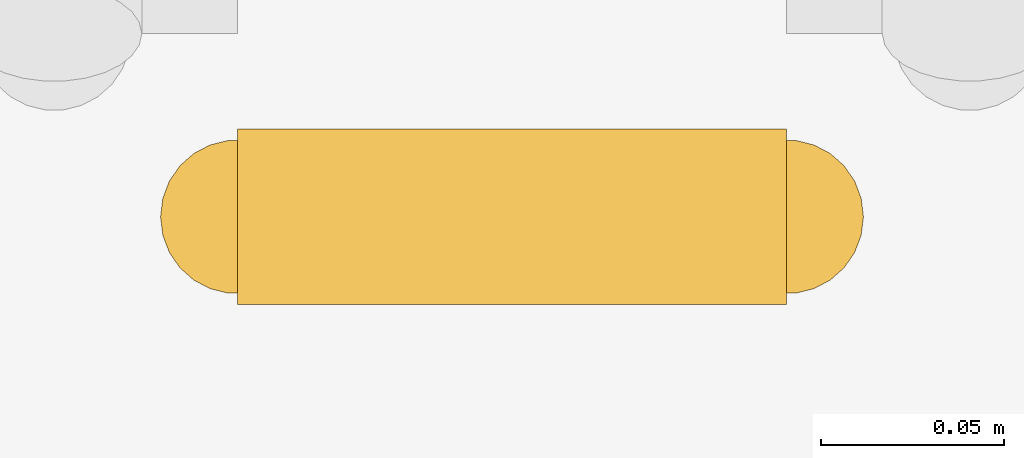
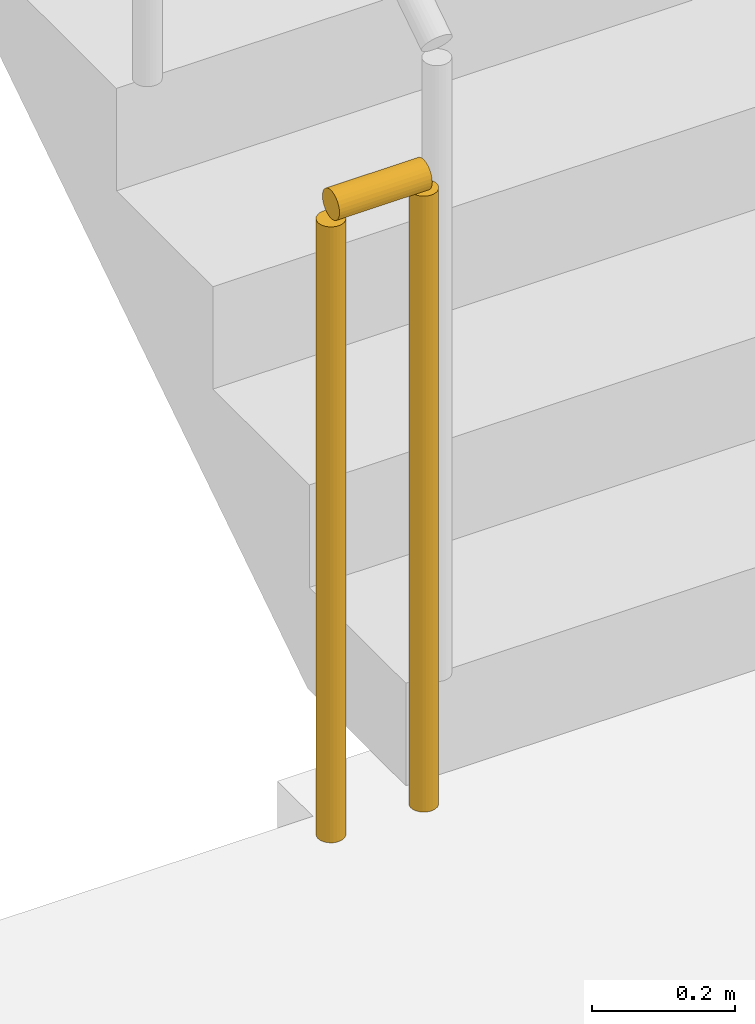
# One storey, part 16 of 19: 1 railing.
"""IFC4 building model written with IfcOpenShell, lengths in metres."""

from ifc_helpers import new_model, si_unit, direction, frame, origin, origin_2d, place, context, subcontext, project, spatial, circle, extrude, material, type_object, element, save


model = new_model("IFC4")

# Units and contexts
model_context = context("Model", 3, precision=1e-05, world=origin(), true_north=direction((0.0, 1.0)))
body_context = subcontext(model_context, "Body", "Model", "MODEL_VIEW")
ifc_project = project(units=[si_unit("LENGTHUNIT", "METRE"), si_unit("AREAUNIT", "SQUARE_METRE"), si_unit("VOLUMEUNIT", "CUBIC_METRE"), si_unit("PLANEANGLEUNIT", "RADIAN"), si_unit("MASSUNIT", "GRAM", prefix="KILO")], contexts=[model_context])

# Site, building, storey
site_placement = place(None, origin())
site = spatial("IfcSite", under=ifc_project, at=site_placement, CompositionType="ELEMENT")
building_placement = place(site_placement, origin())
building = spatial("IfcBuilding", under=site, at=building_placement, Name="Saffron Iwan Residences", CompositionType="ELEMENT")
storey_placement = place(building_placement, frame((0.0, 0.0, 250.0)))
storey = spatial("IfcBuildingStorey", under=building, at=storey_placement, Name="L67", CompositionType="ELEMENT", Elevation=250.0)

# Railing
ifc_material = material(Name="Steel S355", Category="steel")
railing_type = type_object("IfcRailingType", Name="Stair guard 1100", PredefinedType="GUARDRAIL", material=ifc_material)
railing_placement = place(storey_placement, frame((69.699951171875, 67.800048828125, 0.0)))
element("IfcRailing", 1, at=railing_placement, inside=storey, type_object=railing_type, Name="L67 ST-E stair guard 2", PredefinedType="GUARDRAIL", context=body_context, shape_type="SweptSolid", body=[
    extrude(circle(Radius=0.02392578125, at=origin_2d()), frame((0.0, 0.0, 1.076171875), z_axis=(-1.0, 0.0, 0.0), x_axis=(0.0, -1.0, 0.0)), (0.0, 0.0, 1.0), 0.14990234375),
    extrude(circle(Radius=0.02099609375, at=origin_2d()), origin(), (0.0, 0.0, 1.0), 1.052001953125),
    extrude(circle(Radius=0.02099609375, at=origin_2d()), frame((-0.14990234375, 0.0, 0.0)), (0.0, 0.0, 1.0), 1.052001953125),
])

save(model, "model.ifc")
